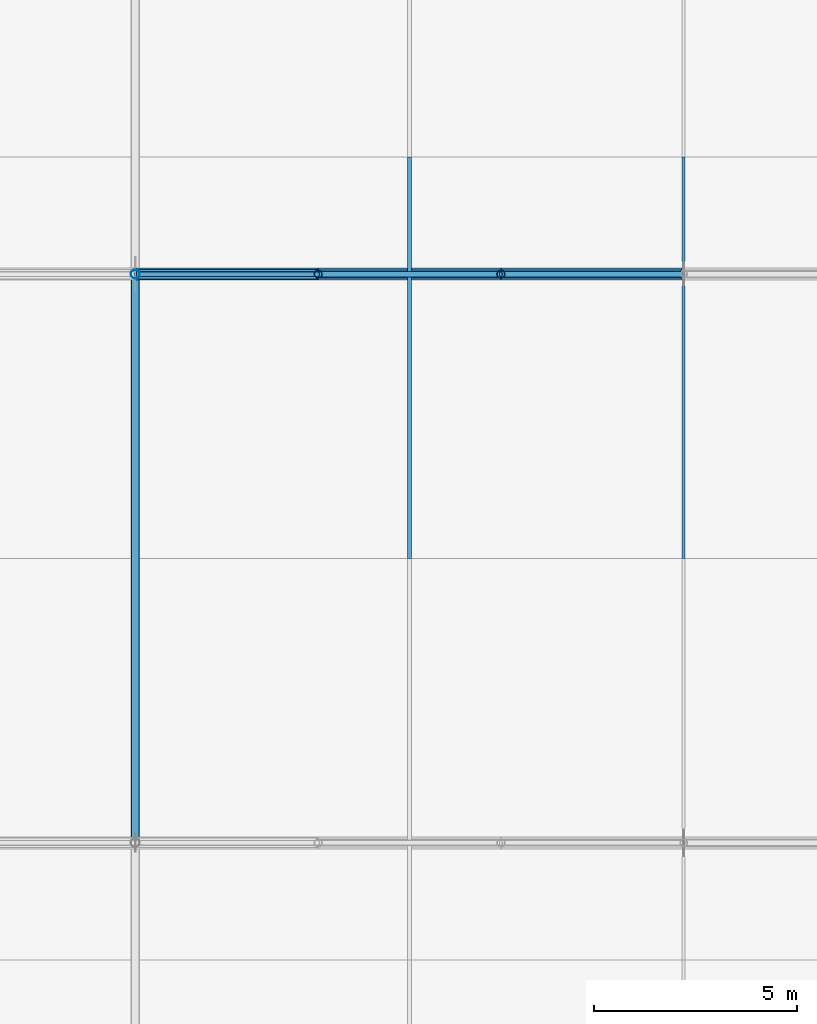
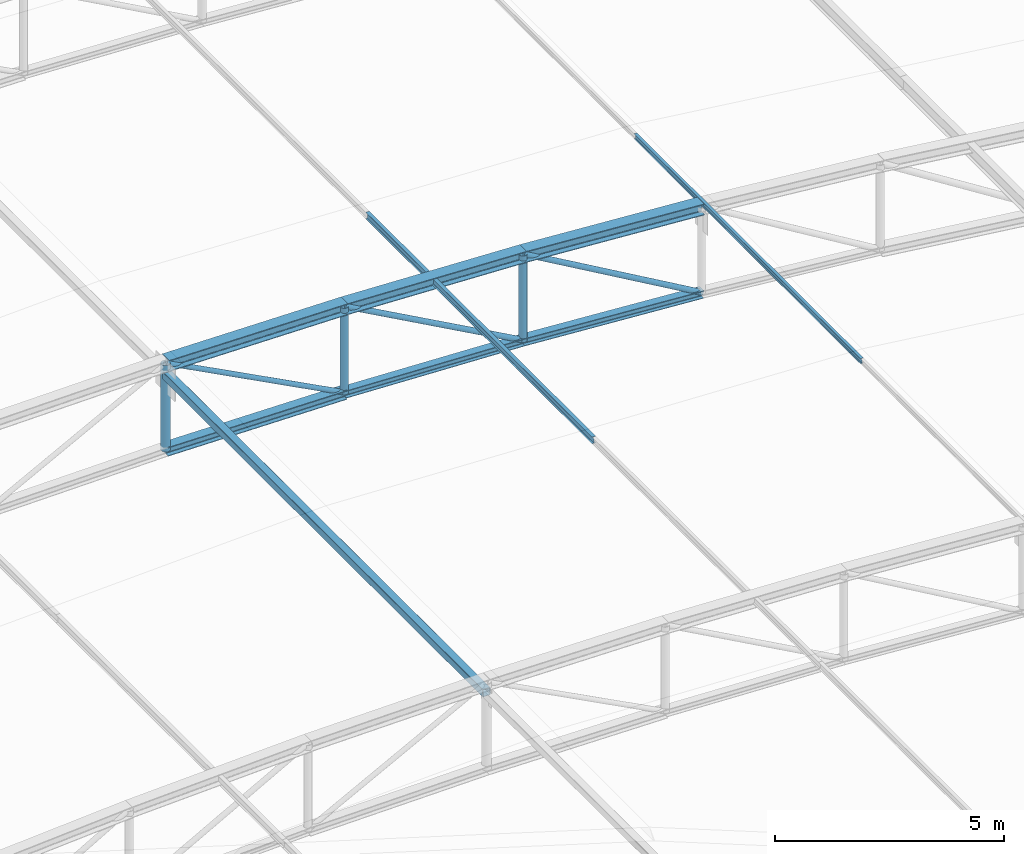
# One storey, part 168 of 262: 15 members.
"""IFC4 building model written with IfcOpenShell, lengths in metres."""

from ifc_helpers import new_model, si_unit, derived_unit, direction, frame, origin, origin_2d, place, context, subcontext, project, spatial, hollow_rectangle, hollow_circle, i_section, extrude, material, material_profile, profile_set, type_object, element, save


model = new_model("IFC4")

# Units and contexts
model_context = context("Model", 3, precision=1e-05, world=origin(), true_north=direction((0.0, 1.0)))
body_context = subcontext(model_context, "Body", "Model", "MODEL_VIEW")
ifc_project = project(units=[si_unit("LENGTHUNIT", "METRE"), si_unit("AREAUNIT", "SQUARE_METRE"), si_unit("VOLUMEUNIT", "CUBIC_METRE"), si_unit("PLANEANGLEUNIT", "RADIAN"), si_unit("MASSUNIT", "GRAM", prefix="KILO"), derived_unit("THERMALTRANSMITTANCEUNIT", [(si_unit("POWERUNIT", "WATT"), 1), (si_unit("LENGTHUNIT", "METRE"), -2), (si_unit("THERMODYNAMICTEMPERATUREUNIT", "KELVIN"), -1)])], contexts=[model_context])

# Site, building, storey
site_placement = place(None, origin())
site = spatial("IfcSite", under=ifc_project, at=site_placement, CompositionType="ELEMENT")
building_placement = place(site_placement, origin())
building = spatial("IfcBuilding", under=site, at=building_placement, Name="Almenara Railside Exhibition Hall", CompositionType="ELEMENT")
storey_placement = place(building_placement, frame((0.0, 0.0, 21.699951171875)))
storey = spatial("IfcBuildingStorey", under=building, at=storey_placement, Name="RF", CompositionType="ELEMENT", Elevation=21.699951171875)

# Members
ifc_material = material(Name="Structural steel S355JR", Category="steel")
ifc_material_profile_1 = material_profile(ifc_material, i_section(OverallWidth=0.239990234375, OverallDepth=0.239990234375, WebThickness=0.010009765625, FlangeThickness=0.01708984375, FilletRadius=0.02099609375, at=origin_2d()), Name="HEB 240")
ifc_profile_set_1 = profile_set([ifc_material_profile_1], Name="Structural steel S355JR")
member_type_1 = type_object("IfcMemberType", Name="Arched Crown Bottom Chord HEB 240 S355JR", PredefinedType="CHORD", material=ifc_profile_set_1)
member_1_placement = place(storey_placement, frame((165.0, 90.0, -7.39990234375), z_axis=(0.999907293085, 0.0, -0.01361635908), x_axis=(0.0, 1.0, 0.0)))
element("IfcMember", 1, at=member_1_placement, inside=storey, type_object=member_type_1, Name="MEM-BC-V2-04-06", PredefinedType="CHORD", context=body_context, shape_type="SweptSolid", body=[
    extrude(i_section(OverallWidth=0.239990234375, OverallDepth=0.239990234375, WebThickness=0.010009765625, FlangeThickness=0.01708984375, FilletRadius=0.02099609375, at=origin_2d()), origin(), (0.0, 0.0, 1.0), 4.50048828125),
])
ifc_material_profile_2 = material_profile(ifc_material, i_section(OverallWidth=0.300048828125, OverallDepth=0.300048828125, WebThickness=0.010986328125, FlangeThickness=0.01904296875, FilletRadius=0.027099609375, at=origin_2d()), Name="HEB 300")
ifc_profile_set_2 = profile_set([ifc_material_profile_2], Name="Structural steel S355JR")
member_type_2 = type_object("IfcMemberType", Name="Arched Inner Top Chord HEB 300 S355JR", PredefinedType="CHORD", material=ifc_profile_set_2)
member_2_placement = place(storey_placement, frame((165.0, 90.0, -5.099853515625), z_axis=(0.999907293085, 0.0, -0.01361635908), x_axis=(0.0, 1.0, 0.0)))
element("IfcMember", 2, at=member_2_placement, inside=storey, type_object=member_type_2, Name="MEM-TC-V2-04-06", PredefinedType="CHORD", context=body_context, shape_type="SweptSolid", body=[
    extrude(i_section(OverallWidth=0.300048828125, OverallDepth=0.300048828125, WebThickness=0.010986328125, FlangeThickness=0.01904296875, FilletRadius=0.027099609375, at=origin_2d()), origin(), (0.0, 0.0, 1.0), 4.50048828125),
])
member_3_placement = place(storey_placement, frame((169.5, 90.0, -5.1611328125), z_axis=(0.99917098071, 0.0, -0.04071057978), x_axis=(0.0, 1.0, 0.0)))
element("IfcMember", 3, at=member_3_placement, inside=storey, type_object=member_type_2, Name="MEM-TC-V2-04-07", PredefinedType="CHORD", context=body_context, shape_type="SweptSolid", body=[
    extrude(i_section(OverallWidth=0.300048828125, OverallDepth=0.300048828125, WebThickness=0.010986328125, FlangeThickness=0.01904296875, FilletRadius=0.027099609375, at=origin_2d()), origin(), (0.0, 0.0, 1.0), 4.503662109375),
])
member_4_placement = place(storey_placement, frame((174.0, 90.0, -5.344482421875), z_axis=(0.997704684283, 0.0, -0.067715308162), x_axis=(0.0, 1.0, 0.0)))
element("IfcMember", 4, at=member_4_placement, inside=storey, type_object=member_type_2, Name="MEM-TC-V2-04-08", PredefinedType="CHORD", context=body_context, shape_type="SweptSolid", body=[
    extrude(i_section(OverallWidth=0.300048828125, OverallDepth=0.300048828125, WebThickness=0.010986328125, FlangeThickness=0.01904296875, FilletRadius=0.027099609375, at=origin_2d()), origin(), (0.0, 0.0, 1.0), 4.51025390625),
])
ifc_material_profile_3 = material_profile(ifc_material, i_section(OverallWidth=0.199951171875, OverallDepth=0.199951171875, WebThickness=0.009033203125, FlangeThickness=0.014892578125, FilletRadius=0.01806640625, at=origin_2d()), Name="HEB 200")
ifc_profile_set_3 = profile_set([ifc_material_profile_3], Name="Structural steel S355JR")
member_type_3 = type_object("IfcMemberType", Name="Canopy Collar Chord HEB 200 S355JR", PredefinedType="CHORD", material=ifc_profile_set_3)
member_5_placement = place(storey_placement, frame((169.5, 90.0, -7.461181640625), z_axis=(0.999173184279, 0.0, -0.040656460949), x_axis=(0.0, 1.0, 0.0)))
element("IfcMember", 5, at=member_5_placement, inside=storey, type_object=member_type_3, Name="MEM-BC-V2-04-07", PredefinedType="CHORD", context=body_context, shape_type="SweptSolid", body=[
    extrude(i_section(OverallWidth=0.199951171875, OverallDepth=0.199951171875, WebThickness=0.009033203125, FlangeThickness=0.014892578125, FilletRadius=0.01806640625, at=origin_2d()), origin(), (0.0, 0.0, 1.0), 4.503662109375),
])
member_6_placement = place(storey_placement, frame((174.0, 90.0, -7.644287109375), z_axis=(0.997701025897, 0.0, -0.067769188608), x_axis=(0.0, 1.0, 0.0)))
element("IfcMember", 6, at=member_6_placement, inside=storey, type_object=member_type_3, Name="MEM-BC-V2-04-08", PredefinedType="CHORD", context=body_context, shape_type="SweptSolid", body=[
    extrude(i_section(OverallWidth=0.199951171875, OverallDepth=0.199951171875, WebThickness=0.009033203125, FlangeThickness=0.014892578125, FilletRadius=0.01806640625, at=origin_2d()), origin(), (0.0, 0.0, 1.0), 4.51025390625),
])
ifc_material_profile_4 = material_profile(ifc_material, i_section(OverallWidth=0.072998046875, OverallDepth=0.139892578125, WebThickness=0.004638671875, FlangeThickness=0.0068359375, FilletRadius=0.007080078125, at=origin_2d()), Name="IPE 140")
ifc_profile_set_4 = profile_set([ifc_material_profile_4], Name="Structural steel S355JR")
member_type_4 = type_object("IfcMemberType", Name="Canopy Edge Purlin IPE 140 S355JR", PredefinedType="PURLIN", material=ifc_profile_set_4)
member_7_placement = place(storey_placement, frame((178.5, 83.0, -5.53076171875), z_axis=(0.0, 1.0, 0.0), x_axis=(-1.0, 0.0, 0.0)))
element("IfcMember", 7, at=member_7_placement, inside=storey, type_object=member_type_4, Name="MEM-PR-V2-PR-IPE140-06-14", PredefinedType="PURLIN", context=body_context, shape_type="SweptSolid", body=[
    extrude(i_section(OverallWidth=0.072998046875, OverallDepth=0.139892578125, WebThickness=0.004638671875, FlangeThickness=0.0068359375, FilletRadius=0.007080078125, at=origin_2d()), origin(), (0.0, 0.0, 1.0), 9.8798828125),
])
ifc_material_profile_5 = material_profile(ifc_material, hollow_rectangle(XDim=0.199951171875, YDim=0.199951171875, WallThickness=0.008056640625, InnerFilletRadius=0.008056640625, OuterFilletRadius=0.01611328125, at=origin_2d()), Name="SHS 200x200x8")
ifc_profile_set_5 = profile_set([ifc_material_profile_5], Name="Structural steel S355JR")
member_type_5 = type_object("IfcMemberType", Name="Eaves Sway Strut SHS 200x200x8 S355JR", PredefinedType="BRACE", material=ifc_profile_set_5)
member_8_placement = place(storey_placement, frame((165.0, 76.0, -5.3798828125), z_axis=(0.0, 1.0, 0.0), x_axis=(-1.0, 0.0, 0.0)))
element("IfcMember", 8, at=member_8_placement, inside=storey, type_object=member_type_5, Name="MEM-ES-V2-03", PredefinedType="BRACE", context=body_context, shape_type="SweptSolid", body=[
    extrude(hollow_rectangle(XDim=0.199951171875, YDim=0.199951171875, WallThickness=0.008056640625, InnerFilletRadius=0.008056640625, OuterFilletRadius=0.01611328125, at=origin_2d()), origin(), (0.0, 0.0, 1.0), 14.0),
])
ifc_material_profile_6 = material_profile(ifc_material, i_section(OverallWidth=0.091064453125, OverallDepth=0.179931640625, WebThickness=0.00537109375, FlangeThickness=0.008056640625, FilletRadius=0.009033203125, at=origin_2d()), Name="IPE 180")
ifc_profile_set_6 = profile_set([ifc_material_profile_6], Name="Structural steel S355JR")
member_type_6 = type_object("IfcMemberType", Name="Plenary Roof Purlin IPE 180 S355JR", PredefinedType="PURLIN", material=ifc_profile_set_6)
member_9_placement = place(storey_placement, frame((171.75, 83.0, -5.2744140625), z_axis=(0.0, 1.0, 0.0), x_axis=(-1.0, 0.0, 0.0)))
element("IfcMember", 9, at=member_9_placement, inside=storey, type_object=member_type_6, Name="MEM-PR-V2-PR-IPE180-05-14", PredefinedType="PURLIN", context=body_context, shape_type="SweptSolid", body=[
    extrude(i_section(OverallWidth=0.091064453125, OverallDepth=0.179931640625, WebThickness=0.00537109375, FlangeThickness=0.008056640625, FilletRadius=0.009033203125, at=origin_2d()), origin(), (0.0, 0.0, 1.0), 9.8798828125),
])
ifc_material_profile_7 = material_profile(ifc_material, hollow_circle(Radius=0.0634765625, WallThickness=0.00439453125, at=origin_2d()), Name="CHS 127.0x4.5")
ifc_profile_set_7 = profile_set([ifc_material_profile_7], Name="Structural steel S355JR")
member_type_7 = type_object("IfcMemberType", Name="Truss Crown Diagonal CHS 127.0x4.5 S355JR", PredefinedType="BRACE", material=ifc_profile_set_7)
member_10_placement = place(storey_placement, frame((165.0, 90.0, -5.099853515625), z_axis=(0.885492789601, 0.0, -0.46465311746), x_axis=(0.0, 1.0, 0.0)))
element("IfcMember", 10, at=member_10_placement, inside=storey, type_object=member_type_7, Name="MEM-TD-V2-04-06", PredefinedType="BRACE", context=body_context, shape_type="SweptSolid", body=[
    extrude(hollow_circle(Radius=0.0634765625, WallThickness=0.00439453125, at=origin_2d()), origin(), (0.0, 0.0, 1.0), 5.08203125),
])
ifc_material_profile_8 = material_profile(ifc_material, hollow_circle(Radius=0.06982421875, WallThickness=0.0048828125, at=origin_2d()), Name="CHS 139.7x5")
ifc_profile_set_8 = profile_set([ifc_material_profile_8], Name="Structural steel S355JR")
member_type_8 = type_object("IfcMemberType", Name="Truss Inner Diagonal CHS 139.7x5 S355JR", PredefinedType="BRACE", material=ifc_profile_set_8)
member_11_placement = place(storey_placement, frame((169.5, 90.0, -5.1611328125), z_axis=(0.875545119572, 0.0, -0.483136361283), x_axis=(0.0, 1.0, 0.0)))
element("IfcMember", 11, at=member_11_placement, inside=storey, type_object=member_type_8, Name="MEM-TD-V2-04-07", PredefinedType="BRACE", context=body_context, shape_type="SweptSolid", body=[
    extrude(hollow_circle(Radius=0.06982421875, WallThickness=0.0048828125, at=origin_2d()), origin(), (0.0, 0.0, 1.0), 5.1396484375),
])
member_12_placement = place(storey_placement, frame((174.0, 90.0, -5.344482421875), z_axis=(0.865409140876, 0.0, -0.501065882782), x_axis=(0.0, 1.0, 0.0)))
element("IfcMember", 12, at=member_12_placement, inside=storey, type_object=member_type_8, Name="MEM-TD-V2-04-08", PredefinedType="BRACE", context=body_context, shape_type="SweptSolid", body=[
    extrude(hollow_circle(Radius=0.06982421875, WallThickness=0.0048828125, at=origin_2d()), origin(), (0.0, 0.0, 1.0), 5.199951171875),
])
ifc_material_profile_9 = material_profile(ifc_material, hollow_circle(Radius=0.109619140625, WallThickness=0.008056640625, at=origin_2d()), Name="CHS 219.1x8")
ifc_profile_set_9 = profile_set([ifc_material_profile_9], Name="Structural steel S355JR")
member_type_9 = type_object("IfcMemberType", Name="Truss Primary Vertical Strut CHS 219.1x8 S355JR", PredefinedType="BRACE", material=ifc_profile_set_9)
member_13_placement = place(storey_placement, frame((165.0, 90.0, -7.39990234375), z_axis=(0.0, 0.0, 1.0), x_axis=(1.0, 0.0, 0.0)))
element("IfcMember", 13, at=member_13_placement, inside=storey, type_object=member_type_9, Name="MEM-TV-V2-04-06", PredefinedType="BRACE", context=body_context, shape_type="SweptSolid", body=[
    extrude(hollow_circle(Radius=0.109619140625, WallThickness=0.008056640625, at=origin_2d()), origin(), (0.0, 0.0, 1.0), 2.300048828125),
])
ifc_material_profile_10 = material_profile(ifc_material, hollow_circle(Radius=0.096923828125, WallThickness=0.00634765625, at=origin_2d()), Name="CHS 193.7x6.3")
ifc_profile_set_10 = profile_set([ifc_material_profile_10], Name="Structural steel S355JR")
member_type_10 = type_object("IfcMemberType", Name="Truss Standard Vertical Strut CHS 193.7x6.3 S355JR", PredefinedType="BRACE", material=ifc_profile_set_10)
member_14_placement = place(storey_placement, frame((169.5, 90.0, -7.461181640625), z_axis=(0.0, 0.0, 1.0), x_axis=(1.0, 0.0, 0.0)))
element("IfcMember", 14, at=member_14_placement, inside=storey, type_object=member_type_10, Name="MEM-TV-V2-04-07", PredefinedType="BRACE", context=body_context, shape_type="SweptSolid", body=[
    extrude(hollow_circle(Radius=0.096923828125, WallThickness=0.00634765625, at=origin_2d()), origin(), (0.0, 0.0, 1.0), 2.300048828125),
])
member_15_placement = place(storey_placement, frame((174.0, 90.0, -7.644287109375), z_axis=(0.0, 0.0, 1.0), x_axis=(1.0, 0.0, 0.0)))
element("IfcMember", 15, at=member_15_placement, inside=storey, type_object=member_type_10, Name="MEM-TV-V2-04-08", PredefinedType="BRACE", context=body_context, shape_type="SweptSolid", body=[
    extrude(hollow_circle(Radius=0.096923828125, WallThickness=0.00634765625, at=origin_2d()), origin(), (0.0, 0.0, 1.0), 2.2998046875),
])

save(model, "model.ifc")
